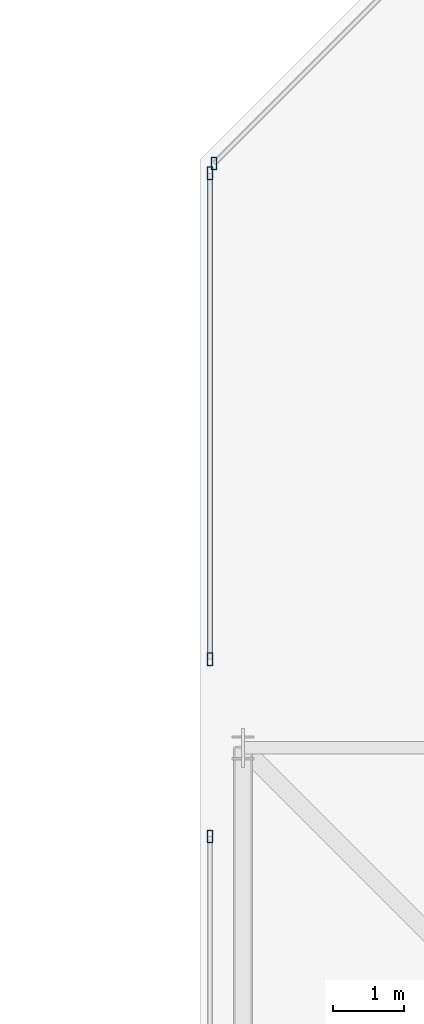
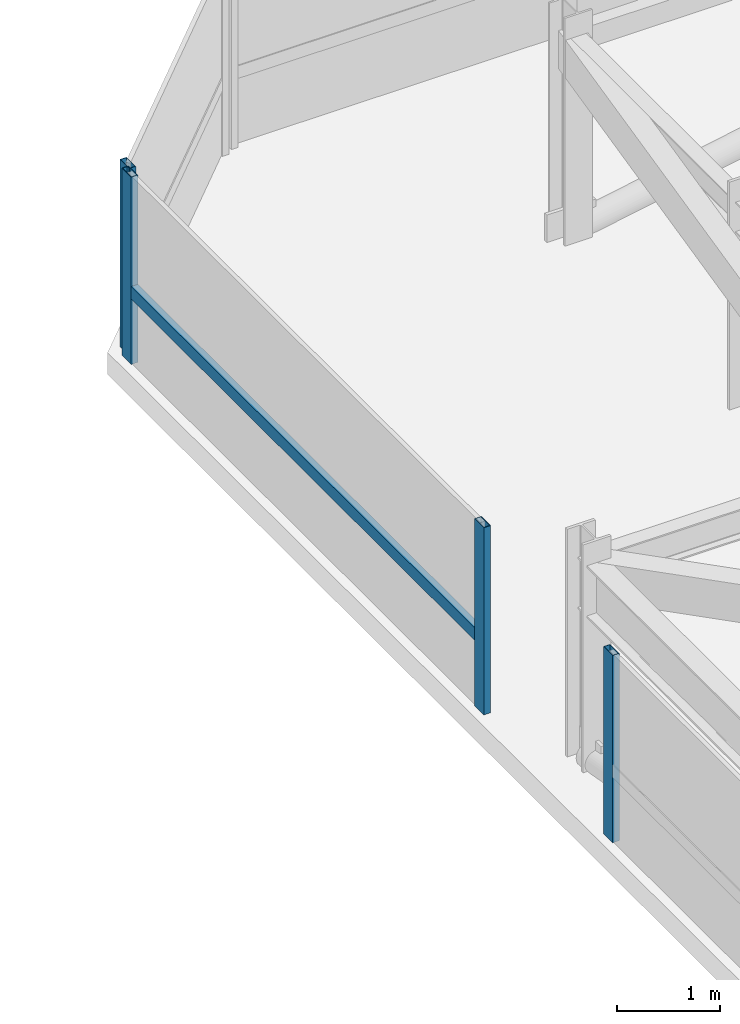
# One storey, part 26 of 42: 5 members, 3 elements without a shape of their own.
"""IFC4 building model written with IfcOpenShell, lengths in metres."""

from ifc_helpers import new_model, si_unit, direction, frame, origin, origin_2d, place, context, subcontext, project, spatial, hollow_rectangle, extrude, material, material_profile, profile_set, type_object, element, aggregate, save


model = new_model("IFC4")

# Units and contexts
model_context = context("Model", 3, precision=1e-05, world=origin(), true_north=direction((0.0, 1.0)))
body_context = subcontext(model_context, "Body", "Model", "MODEL_VIEW")
ifc_project = project(units=[si_unit("LENGTHUNIT", "METRE"), si_unit("AREAUNIT", "SQUARE_METRE"), si_unit("VOLUMEUNIT", "CUBIC_METRE"), si_unit("PLANEANGLEUNIT", "RADIAN"), si_unit("MASSUNIT", "GRAM", prefix="KILO")], contexts=[model_context])

# Site, building, storey
site_placement = place(None, origin())
site = spatial("IfcSite", under=ifc_project, at=site_placement, CompositionType="ELEMENT")
building_placement = place(site_placement, origin())
building = spatial("IfcBuilding", under=site, at=building_placement, Name="Thornwick Lancets Civic Towers", CompositionType="ELEMENT")
storey_placement = place(building_placement, frame((0.0, 0.0, 289.5)))
storey = spatial("IfcBuildingStorey", under=building, at=storey_placement, Name="C04", CompositionType="ELEMENT", Elevation=289.5)

# Curtain wall, member
ifc_material_1 = material(Name="Crown ring acoustic-louvre and glazing screen wall", Category="glass")
curtain_wall_type = type_object("IfcCurtainWallType", Name="CW_SYS_07", PredefinedType="NOTDEFINED", material=ifc_material_1)
curtain_wall_1_placement = place(storey_placement, origin())
curtain_wall_1 = element("IfcCurtainWall", 1, at=curtain_wall_1_placement, inside=storey, type_object=curtain_wall_type, Name="C04 Curtain Wall CW-C04-B-E5", PredefinedType="NOTDEFINED")
ifc_material_2 = material(Name="Thermally broken bronze aluminium S355", Category="steel")
ifc_material_profile_1 = material_profile(ifc_material_2, hollow_rectangle(XDim=0.074951171875, YDim=0.179931640625, WallThickness=0.006103515625, at=origin_2d()), Name="RHS 180x75x6")
ifc_profile_set_1 = profile_set([ifc_material_profile_1], Name="Thermally broken bronze aluminium S355")
member_type_1 = type_object("IfcMemberType", Name="CW_MUL_180", PredefinedType="MULLION", material=ifc_profile_set_1)
member_1_placement = place(storey_placement, frame((70.7919921875, 48.238037109375, 0.0), z_axis=(0.0, 0.0, 1.0), x_axis=(1.0, 0.0, 0.0)))
member_1 = element("IfcMember", 2, at=member_1_placement, type_object=member_type_1, Name="CW-C04-B-E5 Mullion 1", PredefinedType="MULLION", context=body_context, shape_type="SweptSolid", body=[
    extrude(hollow_rectangle(XDim=0.074951171875, YDim=0.179931640625, WallThickness=0.006103515625, at=origin_2d()), origin(), (0.0, 0.0, 1.0), 2.219970703125),
])
aggregate(curtain_wall_1, [member_1])

# Curtain wall, members
curtain_wall_2_placement = place(storey_placement, origin())
curtain_wall_2 = element("IfcCurtainWall", 3, at=curtain_wall_2_placement, inside=storey, type_object=curtain_wall_type, Name="C04 Curtain Wall CW-C04-B-E6-S1", PredefinedType="NOTDEFINED")
member_2_placement = place(storey_placement, frame((70.7353515625, 48.101318359375, 0.0), z_axis=(0.0, 0.0, 1.0), x_axis=(1.0, 0.0, 0.0)))
member_2 = element("IfcMember", 4, at=member_2_placement, type_object=member_type_1, Name="CW-C04-B-E6-S1 Mullion 0", PredefinedType="MULLION", context=body_context, shape_type="SweptSolid", body=[
    extrude(hollow_rectangle(XDim=0.074951171875, YDim=0.179931640625, WallThickness=0.006103515625, at=origin_2d()), origin(), (0.0, 0.0, 1.0), 2.219970703125),
])
member_3_placement = place(storey_placement, frame((70.7353515625, 41.25, 0.0), z_axis=(0.0, 0.0, 1.0), x_axis=(1.0, 0.0, 0.0)))
member_3 = element("IfcMember", 5, at=member_3_placement, type_object=member_type_1, Name="CW-C04-B-E6-S1 Mullion 1", PredefinedType="MULLION", context=body_context, shape_type="SweptSolid", body=[
    extrude(hollow_rectangle(XDim=0.074951171875, YDim=0.179931640625, WallThickness=0.006103515625, at=origin_2d()), origin(), (0.0, 0.0, 1.0), 2.219970703125),
])

# Curtain wall, member
curtain_wall_3_placement = place(storey_placement, origin())
curtain_wall_3 = element("IfcCurtainWall", 6, at=curtain_wall_3_placement, inside=storey, type_object=curtain_wall_type, Name="C04 Curtain Wall CW-C04-B-E6-S2", PredefinedType="NOTDEFINED")
member_4_placement = place(storey_placement, frame((70.7353515625, 38.75, 0.0), z_axis=(0.0, 0.0, 1.0), x_axis=(1.0, 0.0, 0.0)))
member_4 = element("IfcMember", 7, at=member_4_placement, type_object=member_type_1, Name="CW-C04-B-E6-S2 Mullion 0", PredefinedType="MULLION", context=body_context, shape_type="SweptSolid", body=[
    extrude(hollow_rectangle(XDim=0.074951171875, YDim=0.179931640625, WallThickness=0.006103515625, at=origin_2d()), origin(), (0.0, 0.0, 1.0), 2.219970703125),
])
aggregate(curtain_wall_3, [member_4])

# Member
ifc_material_profile_2 = material_profile(ifc_material_2, hollow_rectangle(XDim=0.074951171875, YDim=0.14990234375, WallThickness=0.0048828125, at=origin_2d()), Name="RHS 150x75x5")
ifc_profile_set_2 = profile_set([ifc_material_profile_2], Name="Thermally broken bronze aluminium S355")
member_type_2 = type_object("IfcMemberType", Name="CW_TRN_150", PredefinedType="USERDEFINED", material=ifc_profile_set_2)
member_5_placement = place(storey_placement, frame((70.7353515625, 48.081298828125, 0.85009765625), z_axis=(0.0, -1.0, 0.0), x_axis=(1.0, 0.0, 0.0)))
member_5 = element("IfcMember", 8, at=member_5_placement, type_object=member_type_2, Name="CW-C04-B-E6-S1 Transom 0", ObjectType="TRANSOM", PredefinedType="USERDEFINED", context=body_context, shape_type="SweptSolid", body=[
    extrude(hollow_rectangle(XDim=0.074951171875, YDim=0.14990234375, WallThickness=0.0048828125, at=origin_2d()), origin(), (0.0, 0.0, 1.0), 6.811279296875),
])

aggregate(curtain_wall_2, [member_2, member_3, member_5])

save(model, "model.ifc")
